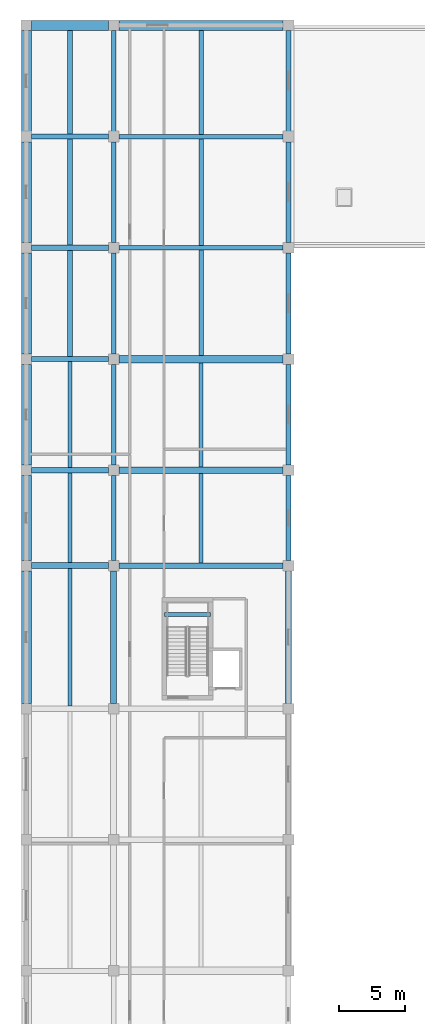
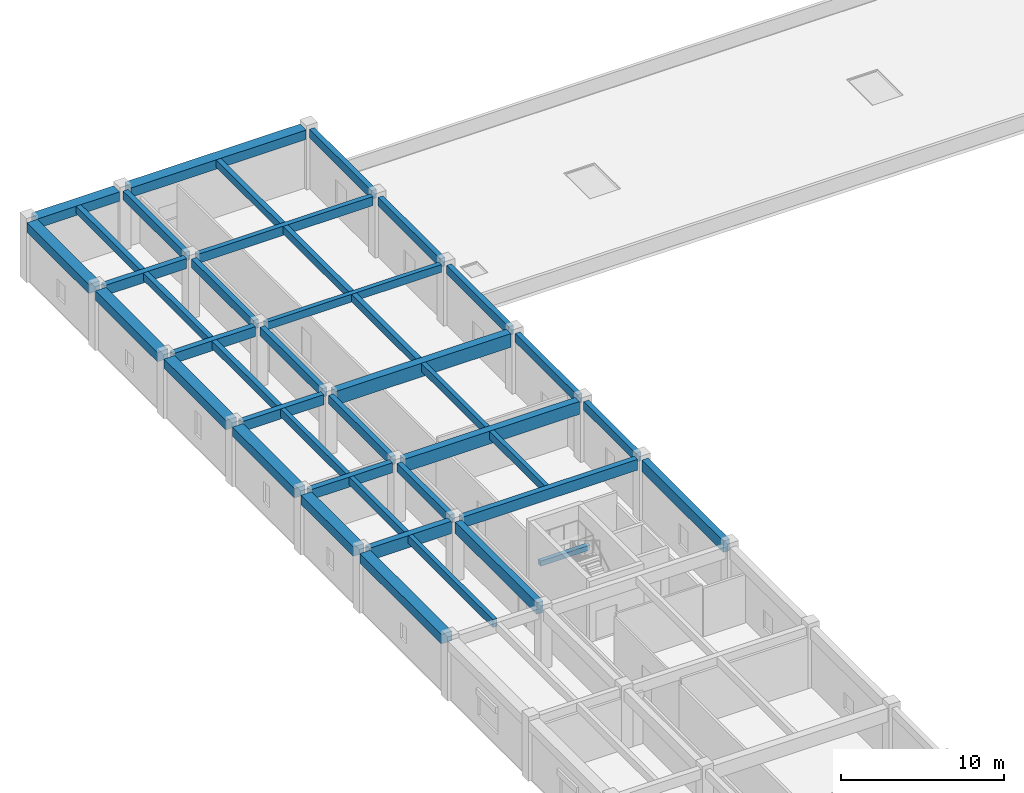
# One storey, part 22 of 65: 42 beams.
"""IFC4 building model written with IfcOpenShell, lengths in metres."""

from ifc_helpers import new_model, si_unit, direction, frame, origin, origin_2d, place, context, subcontext, project, spatial, rectangle, extrude, material, material_profile, profile_set, type_object, element, save


model = new_model("IFC4")

# Units and contexts
model_context = context("Model", 3, precision=1e-05, world=origin(), true_north=direction((0.0, 1.0)))
body_context = subcontext(model_context, "Body", "Model", "MODEL_VIEW")
ifc_project = project(units=[si_unit("LENGTHUNIT", "METRE"), si_unit("AREAUNIT", "SQUARE_METRE"), si_unit("VOLUMEUNIT", "CUBIC_METRE"), si_unit("PLANEANGLEUNIT", "RADIAN"), si_unit("MASSUNIT", "GRAM", prefix="KILO")], contexts=[model_context])

# Site, building, storey
site_placement = place(None, origin())
site = spatial("IfcSite", under=ifc_project, at=site_placement, CompositionType="ELEMENT")
building_placement = place(site_placement, origin())
building = spatial("IfcBuilding", under=site, at=building_placement, Name="Miralva Faculty of Natural Sciences", CompositionType="ELEMENT")
storey_placement = place(building_placement, frame((0.0, 0.0, 10.199951171875)))
storey = spatial("IfcBuildingStorey", under=building, at=storey_placement, Name="L02", CompositionType="ELEMENT", Elevation=10.199951171875)

# Beams
ifc_material = material(Name="Concrete C40/50", Category="concrete")
ifc_material_profile_1 = material_profile(ifc_material, rectangle(XDim=0.449951171875, YDim=0.85009765625, at=origin_2d()), Name="RC 450x850")
ifc_profile_set_1 = profile_set([ifc_material_profile_1], Name="Concrete C40/50")
beam_type_1 = type_object("IfcBeamType", Name="BM-B01", PredefinedType="BEAM", material=ifc_profile_set_1)
for number, where, z_axis, x_axis, name in (
    (1, (9.60009765625, 65.800048828125, 4.054931640625), (0.0, 1.0, 0.0), (-1.0, 0.0, 0.0), "Girder NS L02-90"),
    (2, (22.800048828125, 65.800048828125, 4.054931640625), (0.0, 1.0, 0.0), (-1.0, 0.0, 0.0), "Girder NS L02-106"),
):
    element("IfcBeam", number, at=place(storey_placement, frame(where, z_axis=z_axis, x_axis=x_axis)), inside=storey, type_object=beam_type_1, Name=name, PredefinedType="BEAM", context=body_context, shape_type="SweptSolid", body=[
        extrude(rectangle(XDim=0.449951171875, YDim=0.85009765625, at=origin_2d()), origin(), (0.0, 0.0, 1.0), 10.0),
    ])
ifc_material_profile_2 = material_profile(ifc_material, rectangle(XDim=0.39990234375, YDim=0.800048828125, at=origin_2d()), Name="RC 400x800")
ifc_profile_set_2 = profile_set([ifc_material_profile_2], Name="Concrete C40/50")
beam_type_2 = type_object("IfcBeamType", Name="BM-B02", PredefinedType="BEAM", material=ifc_profile_set_2)
beam_1_placement = place(storey_placement, frame((10.0, 76.199951171875, 4.080078125), z_axis=(1.0, 0.0, 0.0), x_axis=(0.0, 1.0, 0.0)))
element("IfcBeam", 3, at=beam_1_placement, inside=storey, type_object=beam_type_2, Name="Girder EW L02-56", PredefinedType="BEAM", context=body_context, shape_type="SweptSolid", body=[
    extrude(rectangle(XDim=0.39990234375, YDim=0.800048828125, at=origin_2d()), origin(), (0.0, 0.0, 1.0), 12.39990234375),
])
ifc_material_profile_3 = material_profile(ifc_material, rectangle(XDim=0.39990234375, YDim=0.75, at=origin_2d()), Name="RC 400x750")
ifc_profile_set_3 = profile_set([ifc_material_profile_3], Name="Concrete C40/50")
beam_type_3 = type_object("IfcBeamType", Name="BM-B03", PredefinedType="BEAM", material=ifc_profile_set_3)
for number, where, z_axis, x_axis, name in (
    (4, (3.39990234375, 83.39990234375, 4.10498046875), (1.0, 0.0, 0.0), (0.0, 1.0, 0.0), "Girder EW L02-60"),
    (5, (3.39990234375, 91.800048828125, 4.10498046875), (1.0, 0.0, 0.0), (0.0, 1.0, 0.0), "Girder EW L02-62"),
    (6, (3.39990234375, 100.199951171875, 4.10498046875), (1.0, 0.0, 0.0), (0.0, 1.0, 0.0), "Girder EW L02-64"),
    (7, (3.39990234375, 108.60009765625, 4.10498046875), (1.0, 0.0, 0.0), (0.0, 1.0, 0.0), "Girder EW L02-66"),
):
    element("IfcBeam", number, at=place(storey_placement, frame(where, z_axis=z_axis, x_axis=x_axis)), inside=storey, type_object=beam_type_3, Name=name, PredefinedType="BEAM", context=body_context, shape_type="SweptSolid", body=[
        extrude(rectangle(XDim=0.39990234375, YDim=0.75, at=origin_2d()), origin(), (0.0, 0.0, 1.0), 5.800048828125),
    ])
ifc_material_profile_4 = material_profile(ifc_material, rectangle(XDim=0.35009765625, YDim=0.64990234375, at=origin_2d()), Name="RC 350x650")
ifc_profile_set_4 = profile_set([ifc_material_profile_4], Name="Concrete C40/50")
beam_type_4 = type_object("IfcBeamType", Name="BM-B05", PredefinedType="BEAM", material=ifc_profile_set_4)
beam_2_placement = place(storey_placement, frame((9.60009765625, 76.60009765625, 4.155029296875), z_axis=(0.0, 1.0, 0.0), x_axis=(-1.0, 0.0, 0.0)))
element("IfcBeam", 8, at=beam_2_placement, inside=storey, type_object=beam_type_4, Name="Girder NS L02-91", PredefinedType="BEAM", context=body_context, shape_type="SweptSolid", body=[
    extrude(rectangle(XDim=0.35009765625, YDim=0.64990234375, at=origin_2d()), origin(), (0.0, 0.0, 1.0), 6.39990234375),
])
beam_3_placement = place(storey_placement, frame((9.60009765625, 83.800048828125, 4.155029296875), z_axis=(0.0, 1.0, 0.0), x_axis=(-1.0, 0.0, 0.0)))
element("IfcBeam", 9, at=beam_3_placement, inside=storey, type_object=beam_type_4, Name="Girder NS L02-92", PredefinedType="BEAM", context=body_context, shape_type="SweptSolid", body=[
    extrude(rectangle(XDim=0.35009765625, YDim=0.64990234375, at=origin_2d()), origin(), (0.0, 0.0, 1.0), 7.599853515625),
])
beam_4_placement = place(storey_placement, frame((9.60009765625, 92.199951171875, 4.155029296875), z_axis=(0.0, 1.0, 0.0), x_axis=(-1.0, 0.0, 0.0)))
element("IfcBeam", 10, at=beam_4_placement, inside=storey, type_object=beam_type_4, Name="Girder NS L02-93", PredefinedType="BEAM", context=body_context, shape_type="SweptSolid", body=[
    extrude(rectangle(XDim=0.35009765625, YDim=0.64990234375, at=origin_2d()), origin(), (0.0, 0.0, 1.0), 7.60009765625),
])
beam_5_placement = place(storey_placement, frame((9.60009765625, 100.60009765625, 4.155029296875), z_axis=(0.0, 1.0, 0.0), x_axis=(-1.0, 0.0, 0.0)))
element("IfcBeam", 11, at=beam_5_placement, inside=storey, type_object=beam_type_4, Name="Girder NS L02-94", PredefinedType="BEAM", context=body_context, shape_type="SweptSolid", body=[
    extrude(rectangle(XDim=0.35009765625, YDim=0.64990234375, at=origin_2d()), origin(), (0.0, 0.0, 1.0), 7.599853515625),
])
beam_6_placement = place(storey_placement, frame((9.60009765625, 109.0, 4.155029296875), z_axis=(0.0, 1.0, 0.0), x_axis=(-1.0, 0.0, 0.0)))
element("IfcBeam", 12, at=beam_6_placement, inside=storey, type_object=beam_type_4, Name="Girder NS L02-95", PredefinedType="BEAM", context=body_context, shape_type="SweptSolid", body=[
    extrude(rectangle(XDim=0.35009765625, YDim=0.64990234375, at=origin_2d()), origin(), (0.0, 0.0, 1.0), 7.60009765625),
])
beam_7_placement = place(storey_placement, frame((22.800048828125, 76.60009765625, 4.155029296875), z_axis=(0.0, 1.0, 0.0), x_axis=(-1.0, 0.0, 0.0)))
element("IfcBeam", 13, at=beam_7_placement, inside=storey, type_object=beam_type_4, Name="Girder NS L02-107", PredefinedType="BEAM", context=body_context, shape_type="SweptSolid", body=[
    extrude(rectangle(XDim=0.35009765625, YDim=0.64990234375, at=origin_2d()), origin(), (0.0, 0.0, 1.0), 6.39990234375),
])
beam_8_placement = place(storey_placement, frame((22.800048828125, 83.800048828125, 4.155029296875), z_axis=(0.0, 1.0, 0.0), x_axis=(-1.0, 0.0, 0.0)))
element("IfcBeam", 14, at=beam_8_placement, inside=storey, type_object=beam_type_4, Name="Girder NS L02-108", PredefinedType="BEAM", context=body_context, shape_type="SweptSolid", body=[
    extrude(rectangle(XDim=0.35009765625, YDim=0.64990234375, at=origin_2d()), origin(), (0.0, 0.0, 1.0), 7.599853515625),
])
beam_9_placement = place(storey_placement, frame((22.800048828125, 92.199951171875, 4.155029296875), z_axis=(0.0, 1.0, 0.0), x_axis=(-1.0, 0.0, 0.0)))
element("IfcBeam", 15, at=beam_9_placement, inside=storey, type_object=beam_type_4, Name="Girder NS L02-109", PredefinedType="BEAM", context=body_context, shape_type="SweptSolid", body=[
    extrude(rectangle(XDim=0.35009765625, YDim=0.64990234375, at=origin_2d()), origin(), (0.0, 0.0, 1.0), 7.60009765625),
])
beam_10_placement = place(storey_placement, frame((22.800048828125, 100.60009765625, 4.155029296875), z_axis=(0.0, 1.0, 0.0), x_axis=(-1.0, 0.0, 0.0)))
element("IfcBeam", 16, at=beam_10_placement, inside=storey, type_object=beam_type_4, Name="Girder NS L02-110", PredefinedType="BEAM", context=body_context, shape_type="SweptSolid", body=[
    extrude(rectangle(XDim=0.35009765625, YDim=0.64990234375, at=origin_2d()), origin(), (0.0, 0.0, 1.0), 7.599853515625),
])
beam_11_placement = place(storey_placement, frame((22.800048828125, 109.0, 4.155029296875), z_axis=(0.0, 1.0, 0.0), x_axis=(-1.0, 0.0, 0.0)))
element("IfcBeam", 17, at=beam_11_placement, inside=storey, type_object=beam_type_4, Name="Girder NS L02-111", PredefinedType="BEAM", context=body_context, shape_type="SweptSolid", body=[
    extrude(rectangle(XDim=0.35009765625, YDim=0.64990234375, at=origin_2d()), origin(), (0.0, 0.0, 1.0), 7.60009765625),
])
ifc_material_profile_5 = material_profile(ifc_material, rectangle(XDim=0.320068359375, YDim=0.580078125, at=origin_2d()), Name="RC 320x580")
ifc_profile_set_5 = profile_set([ifc_material_profile_5], Name="Concrete C40/50")
beam_type_5 = type_object("IfcBeamType", Name="BM-BG02", PredefinedType="BEAM", material=ifc_profile_set_5)
beam_12_placement = place(storey_placement, frame((10.0, 100.199951171875, 4.18994140625), z_axis=(1.0, 0.0, 0.0), x_axis=(0.0, 1.0, 0.0)))
element("IfcBeam", 18, at=beam_12_placement, inside=storey, type_object=beam_type_5, Name="Girder EW L02-65", PredefinedType="BEAM", context=body_context, shape_type="SweptSolid", body=[
    extrude(rectangle(XDim=0.320068359375, YDim=0.580078125, at=origin_2d()), origin(), (0.0, 0.0, 1.0), 12.39990234375),
])
ifc_material_profile_6 = material_profile(ifc_material, rectangle(XDim=0.340087890625, YDim=0.679931640625, at=origin_2d()), Name="RC 340x680")
ifc_profile_set_6 = profile_set([ifc_material_profile_6], Name="Concrete C40/50")
beam_type_6 = type_object("IfcBeamType", Name="BM-BG04", PredefinedType="BEAM", material=ifc_profile_set_6)
beam_13_placement = place(storey_placement, frame((10.0, 108.60009765625, 4.14013671875), z_axis=(1.0, 0.0, 0.0), x_axis=(0.0, 1.0, 0.0)))
element("IfcBeam", 19, at=beam_13_placement, inside=storey, type_object=beam_type_6, Name="Girder EW L02-67", PredefinedType="BEAM", context=body_context, shape_type="SweptSolid", body=[
    extrude(rectangle(XDim=0.340087890625, YDim=0.679931640625, at=origin_2d()), origin(), (0.0, 0.0, 1.0), 12.39990234375),
])
ifc_material_profile_7 = material_profile(ifc_material, rectangle(XDim=0.43994140625, YDim=0.919921875, at=origin_2d()), Name="RC 440x920")
ifc_profile_set_7 = profile_set([ifc_material_profile_7], Name="Concrete C40/50")
beam_type_7 = type_object("IfcBeamType", Name="BM-BG14", PredefinedType="BEAM", material=ifc_profile_set_7)
beam_14_placement = place(storey_placement, frame((3.39990234375, 76.199951171875, 4.02001953125), z_axis=(1.0, 0.0, 0.0), x_axis=(0.0, 1.0, 0.0)))
element("IfcBeam", 20, at=beam_14_placement, inside=storey, type_object=beam_type_7, Name="Girder EW L02-55", PredefinedType="BEAM", context=body_context, shape_type="SweptSolid", body=[
    extrude(rectangle(XDim=0.43994140625, YDim=0.919921875, at=origin_2d()), origin(), (0.0, 0.0, 1.0), 5.800048828125),
])
ifc_material_profile_8 = material_profile(ifc_material, rectangle(XDim=0.52001953125, YDim=0.9599609375, at=origin_2d()), Name="RC 520x960")
ifc_profile_set_8 = profile_set([ifc_material_profile_8], Name="Concrete C40/50")
beam_type_8 = type_object("IfcBeamType", Name="BM-BG20", PredefinedType="BEAM", material=ifc_profile_set_8)
beam_15_placement = place(storey_placement, frame((10.0, 83.39990234375, 4.0), z_axis=(1.0, 0.0, 0.0), x_axis=(0.0, 1.0, 0.0)))
element("IfcBeam", 21, at=beam_15_placement, inside=storey, type_object=beam_type_8, Name="Girder EW L02-61", PredefinedType="BEAM", context=body_context, shape_type="SweptSolid", body=[
    extrude(rectangle(XDim=0.52001953125, YDim=0.9599609375, at=origin_2d()), origin(), (0.0, 0.0, 1.0), 12.39990234375),
])
ifc_material_profile_9 = material_profile(ifc_material, rectangle(XDim=0.56005859375, YDim=1.02001953125, at=origin_2d()), Name="RC 560x1020")
ifc_profile_set_9 = profile_set([ifc_material_profile_9], Name="Concrete C40/50")
beam_type_9 = type_object("IfcBeamType", Name="BM-BG22", PredefinedType="BEAM", material=ifc_profile_set_9)
beam_16_placement = place(storey_placement, frame((10.0, 91.800048828125, 3.969970703125), z_axis=(1.0, 0.0, 0.0), x_axis=(0.0, 1.0, 0.0)))
element("IfcBeam", 22, at=beam_16_placement, inside=storey, type_object=beam_type_9, Name="Girder EW L02-63", PredefinedType="BEAM", context=body_context, shape_type="SweptSolid", body=[
    extrude(rectangle(XDim=0.56005859375, YDim=1.02001953125, at=origin_2d()), origin(), (0.0, 0.0, 1.0), 12.39990234375),
])
ifc_material_profile_10 = material_profile(ifc_material, rectangle(XDim=0.300048828125, YDim=0.60009765625, at=origin_2d()), Name="RC 300x600")
ifc_profile_set_10 = profile_set([ifc_material_profile_10], Name="Concrete C40/50")
beam_type_10 = type_object("IfcBeamType", Name="BM-J01", PredefinedType="JOIST", material=ifc_profile_set_10)
beam_17_placement = place(storey_placement, frame((6.300048828125, 65.60009765625, 4.179931640625), z_axis=(0.0, 1.0, 0.0), x_axis=(-1.0, 0.0, 0.0)))
element("IfcBeam", 23, at=beam_17_placement, inside=storey, type_object=beam_type_10, Name="Floor joist L02-22", PredefinedType="JOIST", context=body_context, shape_type="SweptSolid", body=[
    extrude(rectangle(XDim=0.300048828125, YDim=0.60009765625, at=origin_2d()), origin(), (0.0, 0.0, 1.0), 10.3798828125),
])
beam_18_placement = place(storey_placement, frame((6.300048828125, 76.419921875, 4.179931640625), z_axis=(0.0, 1.0, 0.0), x_axis=(-1.0, 0.0, 0.0)))
element("IfcBeam", 24, at=beam_18_placement, inside=storey, type_object=beam_type_10, Name="Floor joist L02-26", PredefinedType="JOIST", context=body_context, shape_type="SweptSolid", body=[
    extrude(rectangle(XDim=0.300048828125, YDim=0.60009765625, at=origin_2d()), origin(), (0.0, 0.0, 1.0), 6.780029296875),
])
beam_19_placement = place(storey_placement, frame((16.199951171875, 76.39990234375, 4.179931640625), z_axis=(0.0, 1.0, 0.0), x_axis=(-1.0, 0.0, 0.0)))
element("IfcBeam", 25, at=beam_19_placement, inside=storey, type_object=beam_type_10, Name="Floor joist L02-27", PredefinedType="JOIST", context=body_context, shape_type="SweptSolid", body=[
    extrude(rectangle(XDim=0.300048828125, YDim=0.60009765625, at=origin_2d()), origin(), (0.0, 0.0, 1.0), 6.739990234375),
])
beam_20_placement = place(storey_placement, frame((6.300048828125, 83.60009765625, 4.179931640625), z_axis=(0.0, 1.0, 0.0), x_axis=(-1.0, 0.0, 0.0)))
element("IfcBeam", 26, at=beam_20_placement, inside=storey, type_object=beam_type_10, Name="Floor joist L02-28", PredefinedType="JOIST", context=body_context, shape_type="SweptSolid", body=[
    extrude(rectangle(XDim=0.300048828125, YDim=0.60009765625, at=origin_2d()), origin(), (0.0, 0.0, 1.0), 8.0),
])
beam_21_placement = place(storey_placement, frame((16.199951171875, 83.659912109375, 4.179931640625), z_axis=(0.0, 1.0, 0.0), x_axis=(-1.0, 0.0, 0.0)))
element("IfcBeam", 27, at=beam_21_placement, inside=storey, type_object=beam_type_10, Name="Floor joist L02-29", PredefinedType="JOIST", context=body_context, shape_type="SweptSolid", body=[
    extrude(rectangle(XDim=0.300048828125, YDim=0.60009765625, at=origin_2d()), origin(), (0.0, 0.0, 1.0), 7.860107421875),
])
ifc_material_profile_11 = material_profile(ifc_material, rectangle(XDim=0.35009765625, YDim=0.550048828125, at=origin_2d()), Name="RC 350x550")
ifc_profile_set_11 = profile_set([ifc_material_profile_11], Name="Concrete C40/50")
beam_type_11 = type_object("IfcBeamType", Name="BM-J04", PredefinedType="JOIST", material=ifc_profile_set_11)
beam_22_placement = place(storey_placement, frame((6.300048828125, 92.0, 4.205078125), z_axis=(0.0, 1.0, 0.0), x_axis=(-1.0, 0.0, 0.0)))
element("IfcBeam", 28, at=beam_22_placement, inside=storey, type_object=beam_type_11, Name="Floor joist L02-30", PredefinedType="JOIST", context=body_context, shape_type="SweptSolid", body=[
    extrude(rectangle(XDim=0.35009765625, YDim=0.550048828125, at=origin_2d()), origin(), (0.0, 0.0, 1.0), 8.0),
])
beam_23_placement = place(storey_placement, frame((16.199951171875, 92.080078125, 4.205078125), z_axis=(0.0, 1.0, 0.0), x_axis=(-1.0, 0.0, 0.0)))
element("IfcBeam", 29, at=beam_23_placement, inside=storey, type_object=beam_type_11, Name="Floor joist L02-31", PredefinedType="JOIST", context=body_context, shape_type="SweptSolid", body=[
    extrude(rectangle(XDim=0.35009765625, YDim=0.550048828125, at=origin_2d()), origin(), (0.0, 0.0, 1.0), 7.9599609375),
])
beam_24_placement = place(storey_placement, frame((6.300048828125, 100.39990234375, 4.205078125), z_axis=(0.0, 1.0, 0.0), x_axis=(-1.0, 0.0, 0.0)))
element("IfcBeam", 30, at=beam_24_placement, inside=storey, type_object=beam_type_11, Name="Floor joist L02-32", PredefinedType="JOIST", context=body_context, shape_type="SweptSolid", body=[
    extrude(rectangle(XDim=0.35009765625, YDim=0.550048828125, at=origin_2d()), origin(), (0.0, 0.0, 1.0), 8.0),
])
beam_25_placement = place(storey_placement, frame((16.199951171875, 100.360107421875, 4.205078125), z_axis=(0.0, 1.0, 0.0), x_axis=(-1.0, 0.0, 0.0)))
element("IfcBeam", 31, at=beam_25_placement, inside=storey, type_object=beam_type_11, Name="Floor joist L02-33", PredefinedType="JOIST", context=body_context, shape_type="SweptSolid", body=[
    extrude(rectangle(XDim=0.35009765625, YDim=0.550048828125, at=origin_2d()), origin(), (0.0, 0.0, 1.0), 8.06982421875),
])
beam_26_placement = place(storey_placement, frame((6.300048828125, 108.800048828125, 4.205078125), z_axis=(0.0, 1.0, 0.0), x_axis=(-1.0, 0.0, 0.0)))
element("IfcBeam", 32, at=beam_26_placement, inside=storey, type_object=beam_type_11, Name="Floor joist L02-34", PredefinedType="JOIST", context=body_context, shape_type="SweptSolid", body=[
    extrude(rectangle(XDim=0.35009765625, YDim=0.550048828125, at=origin_2d()), origin(), (0.0, 0.0, 1.0), 7.824951171875),
])
beam_27_placement = place(storey_placement, frame((16.199951171875, 108.77001953125, 4.205078125), z_axis=(0.0, 1.0, 0.0), x_axis=(-1.0, 0.0, 0.0)))
element("IfcBeam", 33, at=beam_27_placement, inside=storey, type_object=beam_type_11, Name="Floor joist L02-35", PredefinedType="JOIST", context=body_context, shape_type="SweptSolid", body=[
    extrude(rectangle(XDim=0.35009765625, YDim=0.550048828125, at=origin_2d()), origin(), (0.0, 0.0, 1.0), 7.85498046875),
])
ifc_material_profile_12 = material_profile(ifc_material, rectangle(XDim=0.300048828125, YDim=0.3798828125, at=origin_2d()), Name="RC 300x380")
ifc_profile_set_12 = profile_set([ifc_material_profile_12], Name="Concrete C40/50")
beam_type_12 = type_object("IfcBeamType", Name="BM-LND01", PredefinedType="BEAM", material=ifc_profile_set_12)
beam_28_placement = place(storey_placement, frame((13.425048828125, 72.4951171875, 2.02001953125), z_axis=(1.0, 0.0, 0.0), x_axis=(0.0, 1.0, 0.0)))
element("IfcBeam", 34, at=beam_28_placement, inside=storey, type_object=beam_type_12, Name="Stair Core C2 half-landing support beam L02", PredefinedType="BEAM", context=body_context, shape_type="SweptSolid", body=[
    extrude(rectangle(XDim=0.300048828125, YDim=0.3798828125, at=origin_2d()), origin(), (0.0, 0.0, 1.0), 3.5),
])
ifc_material_profile_13 = material_profile(ifc_material, rectangle(XDim=0.75, YDim=0.699951171875, at=origin_2d()), Name="RC 750x700")
ifc_profile_set_13 = profile_set([ifc_material_profile_13], Name="Concrete C40/50")
beam_type_13 = type_object("IfcBeamType", Name="BM-SP01", PredefinedType="SPANDREL", material=ifc_profile_set_13)
beam_29_placement = place(storey_placement, frame((3.39990234375, 117.0, 4.130126953125), z_axis=(1.0, 0.0, 0.0), x_axis=(0.0, 1.0, 0.0)))
element("IfcBeam", 35, at=beam_29_placement, inside=storey, type_object=beam_type_13, Name="Girder EW L02-68", PredefinedType="SPANDREL", context=body_context, shape_type="SweptSolid", body=[
    extrude(rectangle(XDim=0.75, YDim=0.699951171875, at=origin_2d()), origin(), (0.0, 0.0, 1.0), 5.800048828125),
])
beam_30_placement = place(storey_placement, frame((10.0, 117.0, 4.130126953125), z_axis=(1.0, 0.0, 0.0), x_axis=(0.0, 1.0, 0.0)))
element("IfcBeam", 36, at=beam_30_placement, inside=storey, type_object=beam_type_13, Name="Girder EW L02-69", PredefinedType="SPANDREL", context=body_context, shape_type="SweptSolid", body=[
    extrude(rectangle(XDim=0.75, YDim=0.699951171875, at=origin_2d()), origin(), (0.0, 0.0, 1.0), 12.39990234375),
])
beam_31_placement = place(storey_placement, frame((3.0, 65.800048828125, 4.130126953125), z_axis=(0.0, 1.0, 0.0), x_axis=(-1.0, 0.0, 0.0)))
element("IfcBeam", 37, at=beam_31_placement, inside=storey, type_object=beam_type_13, Name="Girder NS L02-77", PredefinedType="SPANDREL", context=body_context, shape_type="SweptSolid", body=[
    extrude(rectangle(XDim=0.75, YDim=0.699951171875, at=origin_2d()), origin(), (0.0, 0.0, 1.0), 10.0),
])
beam_32_placement = place(storey_placement, frame((3.0, 76.60009765625, 4.130126953125), z_axis=(0.0, 1.0, 0.0), x_axis=(-1.0, 0.0, 0.0)))
element("IfcBeam", 38, at=beam_32_placement, inside=storey, type_object=beam_type_13, Name="Girder NS L02-78", PredefinedType="SPANDREL", context=body_context, shape_type="SweptSolid", body=[
    extrude(rectangle(XDim=0.75, YDim=0.699951171875, at=origin_2d()), origin(), (0.0, 0.0, 1.0), 6.39990234375),
])
beam_33_placement = place(storey_placement, frame((3.0, 83.800048828125, 4.130126953125), z_axis=(0.0, 1.0, 0.0), x_axis=(-1.0, 0.0, 0.0)))
element("IfcBeam", 39, at=beam_33_placement, inside=storey, type_object=beam_type_13, Name="Girder NS L02-79", PredefinedType="SPANDREL", context=body_context, shape_type="SweptSolid", body=[
    extrude(rectangle(XDim=0.75, YDim=0.699951171875, at=origin_2d()), origin(), (0.0, 0.0, 1.0), 7.599853515625),
])
beam_34_placement = place(storey_placement, frame((3.0, 92.199951171875, 4.130126953125), z_axis=(0.0, 1.0, 0.0), x_axis=(-1.0, 0.0, 0.0)))
element("IfcBeam", 40, at=beam_34_placement, inside=storey, type_object=beam_type_13, Name="Girder NS L02-80", PredefinedType="SPANDREL", context=body_context, shape_type="SweptSolid", body=[
    extrude(rectangle(XDim=0.75, YDim=0.699951171875, at=origin_2d()), origin(), (0.0, 0.0, 1.0), 7.60009765625),
])
beam_35_placement = place(storey_placement, frame((3.0, 100.60009765625, 4.130126953125), z_axis=(0.0, 1.0, 0.0), x_axis=(-1.0, 0.0, 0.0)))
element("IfcBeam", 41, at=beam_35_placement, inside=storey, type_object=beam_type_13, Name="Girder NS L02-81", PredefinedType="SPANDREL", context=body_context, shape_type="SweptSolid", body=[
    extrude(rectangle(XDim=0.75, YDim=0.699951171875, at=origin_2d()), origin(), (0.0, 0.0, 1.0), 7.599853515625),
])
beam_36_placement = place(storey_placement, frame((3.0, 109.0, 4.130126953125), z_axis=(0.0, 1.0, 0.0), x_axis=(-1.0, 0.0, 0.0)))
element("IfcBeam", 42, at=beam_36_placement, inside=storey, type_object=beam_type_13, Name="Girder NS L02-82", PredefinedType="SPANDREL", context=body_context, shape_type="SweptSolid", body=[
    extrude(rectangle(XDim=0.75, YDim=0.699951171875, at=origin_2d()), origin(), (0.0, 0.0, 1.0), 7.60009765625),
])

save(model, "model.ifc")
